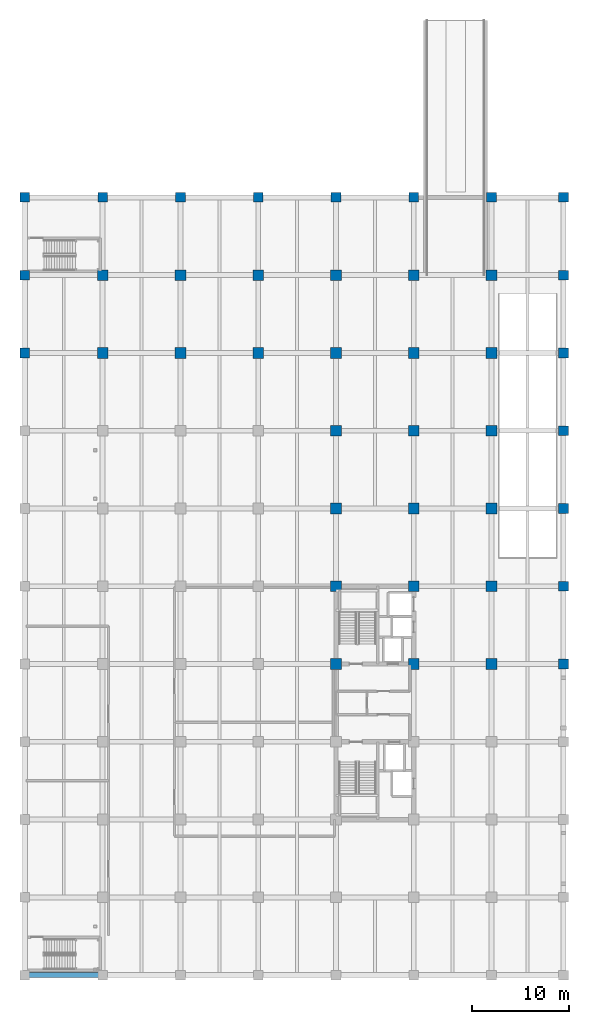
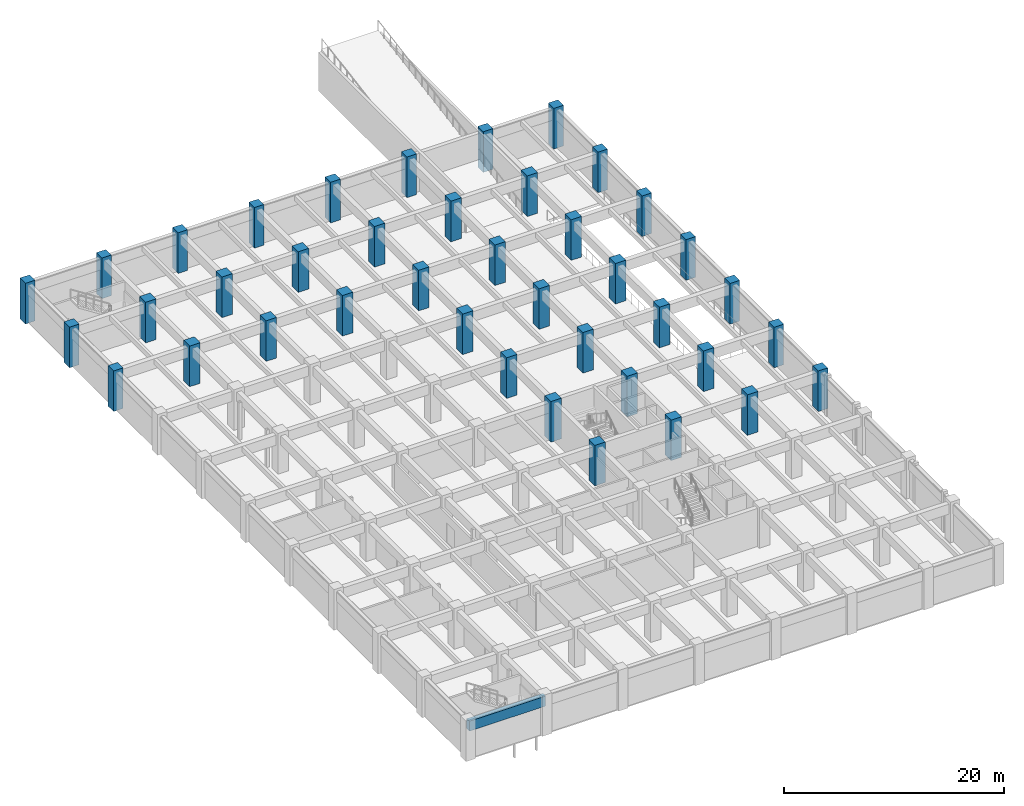
# One storey, part 5 of 16: 40 columns, 1 beam.
"""IFC4 building model written with IfcOpenShell, lengths in metres."""

from ifc_helpers import new_model, si_unit, direction, frame, origin, origin_2d, place, context, subcontext, project, spatial, rectangle, extrude, material, material_profile, profile_set, type_object, element, save


model = new_model("IFC4")

# Units and contexts
model_context = context("Model", 3, precision=1e-05, world=origin(), true_north=direction((0.0, 1.0)))
body_context = subcontext(model_context, "Body", "Model", "MODEL_VIEW")
ifc_project = project(units=[si_unit("LENGTHUNIT", "METRE"), si_unit("AREAUNIT", "SQUARE_METRE"), si_unit("VOLUMEUNIT", "CUBIC_METRE"), si_unit("PLANEANGLEUNIT", "RADIAN"), si_unit("MASSUNIT", "GRAM", prefix="KILO")], contexts=[model_context])

# Site, building, storey
site_placement = place(None, origin())
site = spatial("IfcSite", under=ifc_project, at=site_placement, CompositionType="ELEMENT")
building_placement = place(site_placement, origin())
building = spatial("IfcBuilding", under=site, at=building_placement, Name="Canggui Botanical Conservatory", CompositionType="ELEMENT")
storey_placement = place(building_placement, frame((0.0, 0.0, -4.5)))
storey = spatial("IfcBuildingStorey", under=building, at=storey_placement, Name="B1", CompositionType="ELEMENT", Elevation=-4.5)

# Columns
ifc_material_1 = material(Name="Concrete C50", Category="concrete")
ifc_material_profile_1 = material_profile(ifc_material_1, rectangle(XDim=1.10009765625, YDim=1.10009765625, at=origin_2d()), Name="RC 1100x1100")
ifc_profile_set_1 = profile_set([ifc_material_profile_1], Name="Concrete C50")
column_type_1 = type_object("IfcColumnType", Name="COL-KZ01", PredefinedType="COLUMN", material=ifc_profile_set_1)
for number, where, z_axis, x_axis, name in (
    (1, (130.0, 90.0, 0.0), (0.0, 0.0, 1.0), (1.0, 0.0, 0.0), "Tower RC Column B1 (130,90)"),
    (2, (130.0, 98.0, 0.0), (0.0, 0.0, 1.0), (1.0, 0.0, 0.0), "Tower RC Column B1 (130,98)"),
    (3, (138.0, 90.0, 0.0), (0.0, 0.0, 1.0), (1.0, 0.0, 0.0), "Tower RC Column B1 (138,90)"),
    (4, (138.0, 98.0, 0.0), (0.0, 0.0, 1.0), (1.0, 0.0, 0.0), "Tower RC Column B1 (138,98)"),
    (5, (146.0, 90.0, 0.0), (0.0, 0.0, 1.0), (1.0, 0.0, 0.0), "Tower RC Column B1 (146,90)"),
    (6, (146.0, 98.0, 0.0), (0.0, 0.0, 1.0), (1.0, 0.0, 0.0), "Tower RC Column B1 (146,98)"),
    (7, (154.0, 58.0, 0.0), (0.0, 0.0, 1.0), (1.0, 0.0, 0.0), "Tower RC Column B1 (154,58)"),
    (8, (154.0, 66.0, 0.0), (0.0, 0.0, 1.0), (1.0, 0.0, 0.0), "Tower RC Column B1 (154,66)"),
    (9, (154.0, 74.0, 0.0), (0.0, 0.0, 1.0), (1.0, 0.0, 0.0), "Tower RC Column B1 (154,74)"),
    (10, (154.0, 82.0, 0.0), (0.0, 0.0, 1.0), (1.0, 0.0, 0.0), "Tower RC Column B1 (154,82)"),
    (11, (154.0, 90.0, 0.0), (0.0, 0.0, 1.0), (1.0, 0.0, 0.0), "Tower RC Column B1 (154,90)"),
    (12, (154.0, 98.0, 0.0), (0.0, 0.0, 1.0), (1.0, 0.0, 0.0), "Tower RC Column B1 (154,98)"),
    (13, (162.0, 58.0, 0.0), (0.0, 0.0, 1.0), (1.0, 0.0, 0.0), "Tower RC Column B1 (162,58)"),
    (14, (162.0, 66.0, 0.0), (0.0, 0.0, 1.0), (1.0, 0.0, 0.0), "Tower RC Column B1 (162,66)"),
    (15, (162.0, 74.0, 0.0), (0.0, 0.0, 1.0), (1.0, 0.0, 0.0), "Tower RC Column B1 (162,74)"),
    (16, (162.0, 82.0, 0.0), (0.0, 0.0, 1.0), (1.0, 0.0, 0.0), "Tower RC Column B1 (162,82)"),
    (17, (162.0, 90.0, 0.0), (0.0, 0.0, 1.0), (1.0, 0.0, 0.0), "Tower RC Column B1 (162,90)"),
    (18, (162.0, 98.0, 0.0), (0.0, 0.0, 1.0), (1.0, 0.0, 0.0), "Tower RC Column B1 (162,98)"),
    (19, (170.0, 58.0, 0.0), (0.0, 0.0, 1.0), (1.0, 0.0, 0.0), "Tower RC Column B1 (170,58)"),
    (20, (170.0, 66.0, 0.0), (0.0, 0.0, 1.0), (1.0, 0.0, 0.0), "Tower RC Column B1 (170,66)"),
    (21, (170.0, 74.0, 0.0), (0.0, 0.0, 1.0), (1.0, 0.0, 0.0), "Tower RC Column B1 (170,74)"),
    (22, (170.0, 82.0, 0.0), (0.0, 0.0, 1.0), (1.0, 0.0, 0.0), "Tower RC Column B1 (170,82)"),
    (23, (170.0, 90.0, 0.0), (0.0, 0.0, 1.0), (1.0, 0.0, 0.0), "Tower RC Column B1 (170,90)"),
    (24, (170.0, 98.0, 0.0), (0.0, 0.0, 1.0), (1.0, 0.0, 0.0), "Tower RC Column B1 (170,98)"),
):
    element("IfcColumn", number, at=place(storey_placement, frame(where, z_axis=z_axis, x_axis=x_axis)), inside=storey, type_object=column_type_1, Name=name, PredefinedType="COLUMN", context=body_context, shape_type="SweptSolid", body=[
        extrude(rectangle(XDim=1.10009765625, YDim=1.10009765625, at=origin_2d()), origin(), (0.0, 0.0, 1.0), 4.5),
    ])
ifc_material_profile_2 = material_profile(ifc_material_1, rectangle(XDim=1.0, YDim=1.0, at=origin_2d()), Name="RC 1000x1000")
ifc_profile_set_2 = profile_set([ifc_material_profile_2], Name="Concrete C50")
column_type_2 = type_object("IfcColumnType", Name="COL-KZ03", PredefinedType="COLUMN", material=ifc_profile_set_2)
for number, where, z_axis, x_axis, name in (
    (25, (122.0, 90.0, 0.0), (0.0, 0.0, 1.0), (1.0, 0.0, 0.0), "Tower RC Column B1 (122,90)"),
    (26, (122.0, 98.0, 0.0), (0.0, 0.0, 1.0), (1.0, 0.0, 0.0), "Tower RC Column B1 (122,98)"),
    (27, (122.0, 106.0, 0.0), (0.0, 0.0, 1.0), (1.0, 0.0, 0.0), "Tower RC Column B1 (122,106)"),
    (28, (130.0, 106.0, 0.0), (0.0, 0.0, 1.0), (1.0, 0.0, 0.0), "Tower RC Column B1 (130,106)"),
    (29, (138.0, 106.0, 0.0), (0.0, 0.0, 1.0), (1.0, 0.0, 0.0), "Tower RC Column B1 (138,106)"),
    (30, (146.0, 106.0, 0.0), (0.0, 0.0, 1.0), (1.0, 0.0, 0.0), "Tower RC Column B1 (146,106)"),
    (31, (154.0, 106.0, 0.0), (0.0, 0.0, 1.0), (1.0, 0.0, 0.0), "Tower RC Column B1 (154,106)"),
    (32, (162.0, 106.0, 0.0), (0.0, 0.0, 1.0), (1.0, 0.0, 0.0), "Tower RC Column B1 (162,106)"),
    (33, (170.0, 106.0, 0.0), (0.0, 0.0, 1.0), (1.0, 0.0, 0.0), "Tower RC Column B1 (170,106)"),
    (34, (177.39990234375, 58.0, 0.0), (0.0, 0.0, 1.0), (1.0, 0.0, 0.0), "Tower RC Column B1 (178,58)"),
    (35, (177.39990234375, 66.0, 0.0), (0.0, 0.0, 1.0), (1.0, 0.0, 0.0), "Tower RC Column B1 (178,66)"),
    (36, (177.39990234375, 74.0, 0.0), (0.0, 0.0, 1.0), (1.0, 0.0, 0.0), "Tower RC Column B1 (178,74)"),
    (37, (177.39990234375, 82.0, 0.0), (0.0, 0.0, 1.0), (1.0, 0.0, 0.0), "Tower RC Column B1 (178,82)"),
    (38, (177.39990234375, 90.0, 0.0), (0.0, 0.0, 1.0), (1.0, 0.0, 0.0), "Tower RC Column B1 (178,90)"),
    (39, (177.39990234375, 98.0, 0.0), (0.0, 0.0, 1.0), (1.0, 0.0, 0.0), "Tower RC Column B1 (178,98)"),
    (40, (177.39990234375, 106.0, 0.0), (0.0, 0.0, 1.0), (1.0, 0.0, 0.0), "Tower RC Column B1 (178,106)"),
):
    element("IfcColumn", number, at=place(storey_placement, frame(where, z_axis=z_axis, x_axis=x_axis)), inside=storey, type_object=column_type_2, Name=name, PredefinedType="COLUMN", context=body_context, shape_type="SweptSolid", body=[
        extrude(rectangle(XDim=1.0, YDim=1.0, at=origin_2d()), origin(), (0.0, 0.0, 1.0), 4.5),
    ])

# Beam
ifc_material_2 = material(Name="Concrete C35", Category="concrete")
ifc_material_profile_3 = material_profile(ifc_material_2, rectangle(XDim=0.5, YDim=1.10009765625, at=origin_2d()), Name="RB 500x1100")
ifc_profile_set_3 = profile_set([ifc_material_profile_3], Name="Concrete C35")
beam_type = type_object("IfcBeamType", Name="BM-KL01", PredefinedType="BEAM", material=ifc_profile_set_3)
beam_placement = place(storey_placement, frame((122.0, 26.0, 3.60009765625), z_axis=(1.0, 0.0, 0.0), x_axis=(0.0, 1.0, 0.0)))
element("IfcBeam", 41, at=beam_placement, inside=storey, type_object=beam_type, Name="Frame Girder B1 Y26-1", PredefinedType="BEAM", context=body_context, shape_type="SweptSolid", body=[
    extrude(rectangle(XDim=0.5, YDim=1.10009765625, at=origin_2d()), origin(), (0.0, 0.0, 1.0), 8.0),
])

save(model, "model.ifc")
